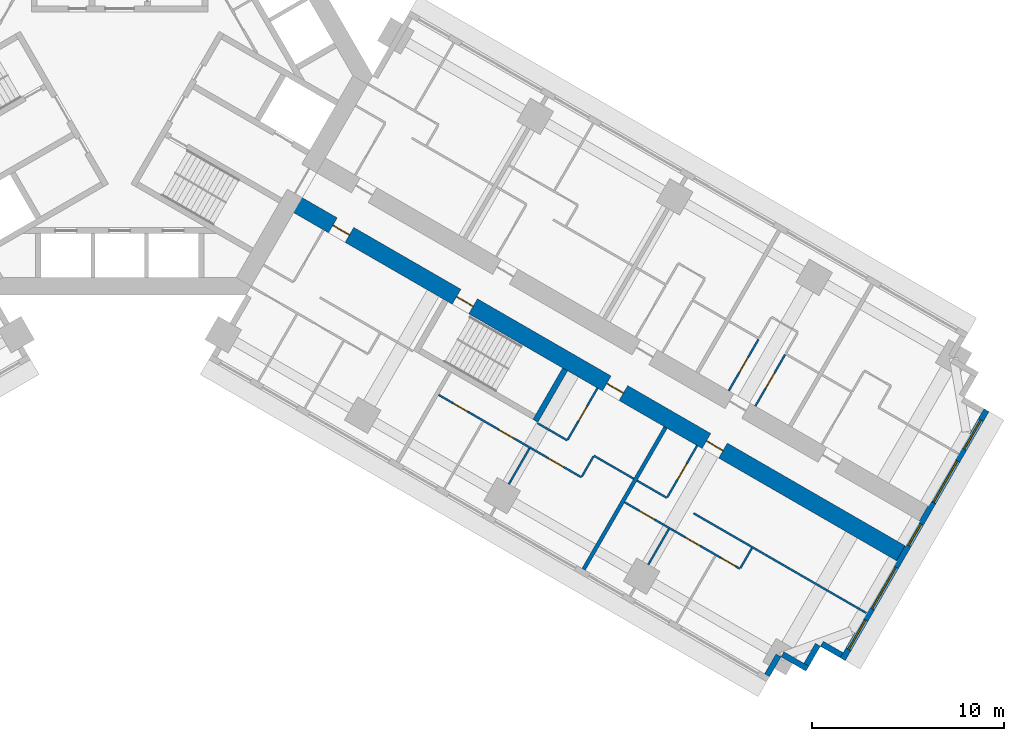
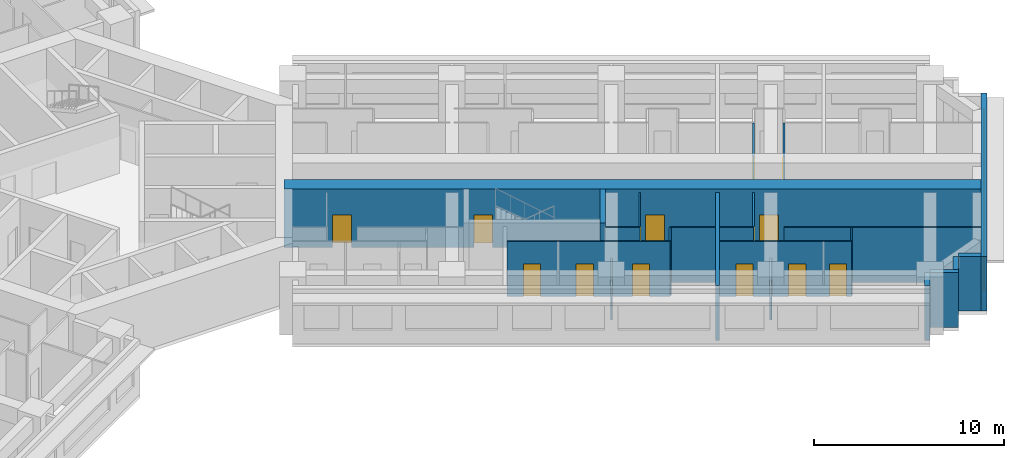
# One storey, part 11 of 16: 22 walls, 14 doors, 5 windows, 19 openings.
"""IFC4 building model written with IfcOpenShell, lengths in metres."""

import ifcopenshell
import ifcopenshell.guid

model = None  # the IFC model being written
_history = None  # IfcOwnerHistory: only IFC2X3 demands one
_inside = {}  # id of a spatial element -> (the spatial element, [elements in it])
_under = {}  # id of a project, library or spatial element -> (it, [spatial elements below it])
_declared = {}  # id of a project -> (the project, [libraries it declares])
_typed = {}  # id of a type object -> (the type object, [elements of that type])
_made_of = {}  # id of a material, layer set ... -> (it, [elements and type objects made of it])


def new_model(schema):
    """Start an empty IFC model of exactly this schema.

    Asked for "IFC4X3", IfcOpenShell would pick the latest addendum, in which some entities
    have other attributes; the version numbers below select the first issue.
    IFC2X3 requires an IfcOwnerHistory on every rooted entity: one is made here for all.
    """
    global model, _history
    if schema == "IFC4X3":
        model = ifcopenshell.file(schema_version=(4, 3, 0, 0))
    else:
        model = ifcopenshell.file(schema=schema)
    _inside.clear()
    _under.clear()
    _declared.clear()
    _typed.clear()
    _made_of.clear()
    _history = None
    if model.schema == "IFC2X3":
        org = make("IfcOrganization", Name="unknown")
        user = make(
            "IfcPersonAndOrganization",
            ThePerson=make("IfcPerson", FamilyName="unknown"),
            TheOrganization=org,
        )
        app = make(
            "IfcApplication",
            ApplicationDeveloper=org,
            Version="unknown",
            ApplicationFullName="unknown",
            ApplicationIdentifier="unknown",
        )
        _history = make(
            "IfcOwnerHistory",
            OwningUser=user,
            OwningApplication=app,
            ChangeAction="ADDED",
            CreationDate=0,
        )
    return model


def make(cls, **values):
    """One entity of the class cls with the attributes given. An attribute that is None is left unset."""
    return model.create_entity(
        cls, **{name: value for name, value in values.items() if value is not None}
    )


def rooted(cls, **values):
    """An entity with a GlobalId (a new one), such as an element, a storey or a relation."""
    return make(cls, GlobalId=ifcopenshell.guid.new(), OwnerHistory=_history, **values)


def si_unit(unit_type, name, prefix=None):
    """IfcSIUnit, for example si_unit("LENGTHUNIT", "METRE", prefix="MILLI")."""
    return make("IfcSIUnit", UnitType=unit_type, Prefix=prefix, Name=name)


def assignment(units):
    """IfcUnitAssignment: the units of a project."""
    return None if units is None else make("IfcUnitAssignment", Units=units)


def point(xyz):
    """IfcCartesianPoint."""
    return None if xyz is None else make("IfcCartesianPoint", Coordinates=xyz)


def direction(xyz):
    """IfcDirection."""
    return None if xyz is None else make("IfcDirection", DirectionRatios=xyz)


def frame(location, z_axis=None, x_axis=None):
    """IfcAxis2Placement3D, a coordinate frame: its origin and axes. An axis left out is left unset."""
    return make(
        "IfcAxis2Placement3D",
        Location=point(location),
        Axis=direction(z_axis),
        RefDirection=direction(x_axis),
    )


def frame_2d(location, x_axis=None):
    """IfcAxis2Placement2D, a coordinate frame in the plane: its origin and x axis."""
    return make(
        "IfcAxis2Placement2D", Location=point(location), RefDirection=direction(x_axis)
    )


def origin():
    """The frame at (0, 0, 0) with its axes left unset."""
    return frame((0.0, 0.0, 0.0))


def place(relative_to, where):
    """IfcLocalPlacement: puts the frame where relative to a parent placement (None: the world)."""
    return make(
        "IfcLocalPlacement", PlacementRelTo=relative_to, RelativePlacement=where
    )


def context(
    kind, dimensions, precision=None, world=None, true_north=None, identifier=None
):
    """IfcGeometricRepresentationContext, for example the 3D "Model" context."""
    return make(
        "IfcGeometricRepresentationContext",
        ContextIdentifier=identifier,
        ContextType=kind,
        CoordinateSpaceDimension=dimensions,
        Precision=precision,
        WorldCoordinateSystem=world,
        TrueNorth=true_north,
    )


def subcontext(parent, identifier, kind, view, scale=None):
    """IfcGeometricRepresentationSubContext, for example "Body" below "Model"."""
    return make(
        "IfcGeometricRepresentationSubContext",
        ContextIdentifier=identifier,
        ContextType=kind,
        ParentContext=parent,
        TargetScale=scale,
        TargetView=view,
    )


def project(units=None, contexts=None):
    """IfcProject with its units and contexts."""
    return rooted(
        "IfcProject",
        Name="project",
        RepresentationContexts=contexts,
        UnitsInContext=assignment(units),
    )


def spatial(cls, under=None, at=None, **own):
    """A site, building, storey or space (cls), placed at a placement, below another one or the project."""
    s = rooted(cls, ObjectPlacement=at, **own)
    if under is not None:
        _under.setdefault(under.id(), (under, []))[1].append(s)
    return s


def profile(cls, at=None, kind="AREA", **sizes):
    """A parametric profile (cls). Its sizes go by their IFC names, for example OverallWidth=200.0."""
    return make(cls, ProfileType=kind, Position=at, **sizes)


def rectangle(**sizes):
    """IfcRectangleProfileDef."""
    return profile("IfcRectangleProfileDef", **sizes)


def extrude(swept, where, along, depth):
    """IfcExtrudedAreaSolid: the profile swept, set in the frame where, extruded along a direction by depth."""
    return make(
        "IfcExtrudedAreaSolid",
        SweptArea=swept,
        Position=where,
        ExtrudedDirection=direction(along),
        Depth=depth,
    )


def shape(context_of_items, identifier, shape_type, items):
    """IfcShapeRepresentation: the items that make up one representation, for example the "Body"."""
    return make(
        "IfcShapeRepresentation",
        ContextOfItems=context_of_items,
        RepresentationIdentifier=identifier,
        RepresentationType=shape_type,
        Items=items,
    )


def material(Name=None, Category=None):
    """IfcMaterial."""
    return make("IfcMaterial", Name=Name, Category=Category)


def layer(
    of_material, thickness, ventilated=None, Name=None, Category=None, Priority=None
):
    """IfcMaterialLayer: one layer of a wall or slab, of a material (None: an air gap)."""
    return make(
        "IfcMaterialLayer",
        Material=of_material,
        LayerThickness=thickness,
        IsVentilated=ventilated,
        Name=Name,
        Category=Category,
        Priority=Priority,
    )


def layer_set(layers, Name=None):
    """IfcMaterialLayerSet."""
    return make("IfcMaterialLayerSet", MaterialLayers=layers, LayerSetName=Name)


def made_of(thing, what):
    """Note that an element or type object is made of a material, layer set ...; save() writes the relation."""
    if what is not None:
        _made_of.setdefault(what.id(), (what, []))[1].append(thing)
    return thing


def type_object(cls, material=None, **own):
    """A type object (cls), such as IfcWallType, which elements share."""
    return made_of(rooted(cls, **own), material)


def element(
    cls,
    number,
    at=None,
    inside=None,
    cuts=None,
    type_object=None,
    material=None,
    context=None,
    identifier="Body",
    shape_type=None,
    held_by="IfcProductDefinitionShape",
    body=None,
    shapes=None,
    **own,
):
    """One element of the class cls, such as IfcWall. Its Tag is "e" and its number.

    at: its placement. inside: the storey or other place that contains it. cuts: it is an
    opening in that element (IfcRelVoidsElement). A single representation is given by context,
    identifier, shape_type and body (its items); several are given by shapes. held_by: the class
    of the entity that holds the representations. save() writes the other relations.
    """
    e = rooted(cls, Tag="e%d" % number, ObjectPlacement=at, **own)
    if body is not None:
        shapes = [shape(context, identifier, shape_type, body)]
    if shapes is not None:
        e.Representation = make(held_by, Representations=shapes)
    if inside is not None:
        _inside.setdefault(inside.id(), (inside, []))[1].append(e)
    if cuts is not None:
        rooted(
            "IfcRelVoidsElement", RelatingBuildingElement=cuts, RelatedOpeningElement=e
        )
    if type_object is not None:
        _typed.setdefault(type_object.id(), (type_object, []))[1].append(e)
    return made_of(e, material)


def fill(opening, filler):
    """IfcRelFillsElement: the door or window that sits in an opening."""
    return rooted(
        "IfcRelFillsElement",
        RelatingOpeningElement=opening,
        RelatedBuildingElement=filler,
    )


def aggregate(whole, parts):
    """IfcRelAggregates: a whole, such as a stair, and the parts it consists of."""
    return rooted("IfcRelAggregates", RelatingObject=whole, RelatedObjects=parts)


def save(model, path):
    """Write the relations noted so far, then the file.

    IfcRelAggregates (storeys below a building ...), IfcRelContainedInSpatialStructure (elements
    in a storey), IfcRelDefinesByType, IfcRelAssociatesMaterial and IfcRelDeclares: one each for
    every whole, place, type object, material and project.
    """
    for whole, parts in _under.values():
        aggregate(whole, parts)
    for where, things in _inside.values():
        rooted(
            "IfcRelContainedInSpatialStructure",
            RelatedElements=things,
            RelatingStructure=where,
        )
    for kind, things in _typed.values():
        rooted("IfcRelDefinesByType", RelatedObjects=things, RelatingType=kind)
    for what, things in _made_of.values():
        rooted("IfcRelAssociatesMaterial", RelatedObjects=things, RelatingMaterial=what)
    for by, libraries in _declared.values():
        rooted("IfcRelDeclares", RelatingContext=by, RelatedDefinitions=libraries)
    model.write(path)


model = new_model("IFC4")

# Units and contexts
model_context = context("Model", 3, precision=1e-05, world=origin(), true_north=direction((0.0, 1.0)))
body_context = subcontext(model_context, "Body", "Model", "MODEL_VIEW")
ifc_project = project(units=[si_unit("LENGTHUNIT", "METRE"), si_unit("AREAUNIT", "SQUARE_METRE"), si_unit("VOLUMEUNIT", "CUBIC_METRE"), si_unit("PLANEANGLEUNIT", "RADIAN"), si_unit("MASSUNIT", "GRAM", prefix="KILO")], contexts=[model_context])

# Site, building, storey
site_placement = place(None, origin())
site = spatial("IfcSite", under=ifc_project, at=site_placement, CompositionType="ELEMENT")
building_placement = place(site_placement, origin())
building = spatial("IfcBuilding", under=site, at=building_placement, Name="Impinga Residences", CompositionType="ELEMENT")
storey_placement = place(building_placement, frame((0.0, 0.0, 71.0)))
storey = spatial("IfcBuildingStorey", under=building, at=storey_placement, Name="L17", CompositionType="ELEMENT", Elevation=71.0)

# Wall, openings, doors
ifc_material_1 = material(Name="Concrete C70/85", Category="concrete")
ifc_layer_1 = layer(ifc_material_1, 0.89990234375)
ifc_layer_set_1 = layer_set([ifc_layer_1], Name="Concrete C70/85")
wall_type_1 = type_object("IfcWallType", Name="BW1 corridor buttress wall, L05 to L22 900", PredefinedType="SHEAR", material=ifc_layer_set_1)
wall_1_placement = place(storey_placement, frame((8.910400390625, -6.530029296875, 0.0), z_axis=(0.0, 0.0, 1.0), x_axis=(0.866025284237, -0.500000207062, 0.0)))
wall_1 = element("IfcWall", 1, at=wall_1_placement, inside=storey, type_object=wall_type_1, Name="Corridor wall BW1 ED L17", PredefinedType="SHEAR", context=body_context, shape_type="SweptSolid", body=[
    extrude(rectangle(XDim=36.75, YDim=0.89990234375, at=frame_2d((18.375, 0.0))), origin(), (0.0, 0.0, 1.0), 3.75),
])
opening_1_placement = place(wall_1_placement, frame((10.0, 0.0, 0.0)))
opening_1 = element("IfcOpeningElement", 2, at=opening_1_placement, cuts=wall_1, Name="Opening D5", PredefinedType="OPENING", context=body_context, shape_type="SweptSolid", body=[
    extrude(rectangle(XDim=1.0, YDim=2.10009765625, at=frame_2d((0.5, 1.050048828125))), frame((0.0, 0.4599609375, 0.0), z_axis=(0.0, -1.0, 0.0), x_axis=(1.0, 0.0, 0.0)), (0.0, 0.0, 1.0), 0.919921875),
])
opening_2_placement = place(wall_1_placement, frame((2.550048828125, 0.0, 0.0)))
opening_2 = element("IfcOpeningElement", 3, at=opening_2_placement, cuts=wall_1, Name="Opening D1", PredefinedType="OPENING", context=body_context, shape_type="SweptSolid", body=[
    extrude(rectangle(XDim=1.0, YDim=2.10009765625, at=frame_2d((0.5, 1.050048828125))), frame((0.0, 0.4599609375, 0.0), z_axis=(0.0, -1.0, 0.0), x_axis=(1.0, 0.0, 0.0)), (0.0, 0.0, 1.0), 0.919921875),
])
opening_3_placement = place(wall_1_placement, frame((19.050048828125, 0.0, 0.0)))
opening_3 = element("IfcOpeningElement", 4, at=opening_3_placement, cuts=wall_1, Name="Opening D1", PredefinedType="OPENING", context=body_context, shape_type="SweptSolid", body=[
    extrude(rectangle(XDim=1.0, YDim=2.10009765625, at=frame_2d((0.5, 1.050048828125))), frame((0.0, 0.4599609375, 0.0), z_axis=(0.0, -1.0, 0.0), x_axis=(1.0, 0.0, 0.0)), (0.0, 0.0, 1.0), 0.919921875),
])
opening_4_placement = place(wall_1_placement, frame((25.050048828125, 0.0, 0.0)))
opening_4 = element("IfcOpeningElement", 5, at=opening_4_placement, cuts=wall_1, Name="Opening D1", PredefinedType="OPENING", context=body_context, shape_type="SweptSolid", body=[
    extrude(rectangle(XDim=1.0, YDim=2.10009765625, at=frame_2d((0.5, 1.050048828125))), frame((0.0, 0.4599609375, 0.0), z_axis=(0.0, -1.0, 0.0), x_axis=(1.0, 0.0, 0.0)), (0.0, 0.0, 1.0), 0.919921875),
])
ifc_material_2 = material(Name="Timber door set", Category="wood")
door_type_1 = type_object("IfcDoorType", Name="D1 apartment entrance door 1000x2100", OperationType="SINGLE_SWING_LEFT", PredefinedType="DOOR", material=ifc_material_2)
door_1_placement = place(opening_2_placement, origin())
door_1 = element("IfcDoor", 6, at=door_1_placement, inside=storey, type_object=door_type_1, Name="Apartment L17-EF1 entrance", OperationType="SINGLE_SWING_LEFT", OverallHeight=2.10009765625, OverallWidth=1.0, PredefinedType="DOOR", context=body_context, shape_type="SweptSolid", body=[
    extrude(rectangle(XDim=1.0, YDim=2.10009765625, at=frame_2d((0.5, 1.050048828125))), frame((0.0, 0.02490234375, 0.0), z_axis=(0.0, -1.0, 0.0), x_axis=(1.0, 0.0, 0.0)), (0.0, 0.0, 1.0), 0.050048828125),
])
fill(opening_2, door_1)
door_2_placement = place(opening_3_placement, origin())
door_2 = element("IfcDoor", 7, at=door_2_placement, inside=storey, type_object=door_type_1, Name="Apartment L17-EF2 entrance", OperationType="SINGLE_SWING_RIGHT", OverallHeight=2.10009765625, OverallWidth=1.0, PredefinedType="DOOR", context=body_context, shape_type="SweptSolid", body=[
    extrude(rectangle(XDim=1.0, YDim=2.10009765625, at=frame_2d((0.5, 1.050048828125))), frame((0.0, 0.02490234375, 0.0), z_axis=(0.0, -1.0, 0.0), x_axis=(1.0, 0.0, 0.0)), (0.0, 0.0, 1.0), 0.050048828125),
])
fill(opening_3, door_2)
door_3_placement = place(opening_4_placement, origin())
door_3 = element("IfcDoor", 8, at=door_3_placement, inside=storey, type_object=door_type_1, Name="Apartment L17-EF3 entrance", OperationType="SINGLE_SWING_RIGHT", OverallHeight=2.10009765625, OverallWidth=1.0, PredefinedType="DOOR", context=body_context, shape_type="SweptSolid", body=[
    extrude(rectangle(XDim=1.0, YDim=2.10009765625, at=frame_2d((0.5, 1.050048828125))), frame((0.0, 0.02490234375, 0.0), z_axis=(0.0, -1.0, 0.0), x_axis=(1.0, 0.0, 0.0)), (0.0, 0.0, 1.0), 0.050048828125),
])
fill(opening_4, door_3)
door_type_2 = type_object("IfcDoorType", Name="D5 stair door 1000x2100", OperationType="SINGLE_SWING_LEFT", PredefinedType="DOOR", material=ifc_material_2)
door_4_placement = place(opening_1_placement, origin())
door_4 = element("IfcDoor", 9, at=door_4_placement, inside=storey, type_object=door_type_2, Name="Wing stair door E", OperationType="SINGLE_SWING_LEFT", OverallHeight=2.10009765625, OverallWidth=1.0, PredefinedType="DOOR", context=body_context, shape_type="SweptSolid", body=[
    extrude(rectangle(XDim=1.0, YDim=2.10009765625, at=frame_2d((0.5, 1.050048828125))), frame((0.0, 0.02490234375, 0.0), z_axis=(0.0, -1.0, 0.0), x_axis=(1.0, 0.0, 0.0)), (0.0, 0.0, 1.0), 0.050048828125),
])
fill(opening_1, door_4)

# Wall, openings, windows
ifc_material_3 = material(Name="Terracotta rainscreen on blockwork", Category="masonry")
ifc_layer_2 = layer(ifc_material_3, 0.300048828125)
ifc_layer_set_2 = layer_set([ifc_layer_2], Name="EW1 external wall, terracotta rainscreen on blockwork 300")
wall_type_2 = type_object("IfcWallType", Name="EW1 external wall, terracotta rainscreen on blockwork 300", PredefinedType="SOLIDWALL", material=ifc_layer_set_2)
wall_2_placement = place(storey_placement, frame((45.216552734375, -17.445556640625, 0.0), z_axis=(0.0, 0.0, 1.0), x_axis=(-0.499997186618, -0.866027028085, 0.0)))
wall_2 = element("IfcWall", 10, at=wall_2_placement, inside=storey, type_object=wall_type_2, Name="External wall EW1 L17", PredefinedType="SOLIDWALL", context=body_context, shape_type="SweptSolid", body=[
    extrude(rectangle(XDim=15.0, YDim=0.300048828125, at=frame_2d((7.5, 0.0))), origin(), (0.0, 0.0, 1.0), 3.530029296875),
])
opening_5_placement = place(wall_2_placement, frame((0.60009765625, 0.0, 0.89990234375)))
opening_5 = element("IfcOpeningElement", 11, at=opening_5_placement, cuts=wall_2, Name="Opening W1", PredefinedType="OPENING", context=body_context, shape_type="SweptSolid", body=[
    extrude(rectangle(XDim=1.75, YDim=2.050048828125, at=frame_2d((0.875, 1.02490234375))), frame((0.0, 0.159912109375, 0.0), z_axis=(0.0, -1.0, 0.0), x_axis=(1.0, 0.0, 0.0)), (0.0, 0.0, 1.0), 0.320068359375),
])
opening_6_placement = place(wall_2_placement, frame((3.050048828125, 0.0, 0.89990234375)))
opening_6 = element("IfcOpeningElement", 12, at=opening_6_placement, cuts=wall_2, Name="Opening W2", PredefinedType="OPENING", context=body_context, shape_type="SweptSolid", body=[
    extrude(rectangle(XDim=2.5, YDim=2.050048828125, at=frame_2d((1.25, 1.02490234375))), frame((0.0, 0.159912109375, 0.0), z_axis=(0.0, -1.0, 0.0), x_axis=(1.0, 0.0, 0.0)), (0.0, 0.0, 1.0), 0.320068359375),
])
opening_7_placement = place(wall_2_placement, frame((6.85009765625, 0.0, 0.89990234375)))
opening_7 = element("IfcOpeningElement", 13, at=opening_7_placement, cuts=wall_2, Name="Opening WE1", PredefinedType="OPENING", context=body_context, shape_type="SweptSolid", body=[
    extrude(rectangle(XDim=1.300048828125, YDim=2.050048828125, at=frame_2d((0.64990234375, 1.02490234375))), frame((0.0, 0.159912109375, 0.0), z_axis=(0.0, -1.0, 0.0), x_axis=(1.0, 0.0, 0.0)), (0.0, 0.0, 1.0), 0.320068359375),
])
opening_8_placement = place(wall_2_placement, frame((9.449951171875, 0.0, 0.89990234375)))
opening_8 = element("IfcOpeningElement", 14, at=opening_8_placement, cuts=wall_2, Name="Opening W2", PredefinedType="OPENING", context=body_context, shape_type="SweptSolid", body=[
    extrude(rectangle(XDim=2.5, YDim=2.050048828125, at=frame_2d((1.25, 1.02490234375))), frame((0.0, 0.159912109375, 0.0), z_axis=(0.0, -1.0, 0.0), x_axis=(1.0, 0.0, 0.0)), (0.0, 0.0, 1.0), 0.320068359375),
])
opening_9_placement = place(wall_2_placement, frame((12.64990234375, 0.0, 0.89990234375)))
opening_9 = element("IfcOpeningElement", 15, at=opening_9_placement, cuts=wall_2, Name="Opening W1", PredefinedType="OPENING", context=body_context, shape_type="SweptSolid", body=[
    extrude(rectangle(XDim=1.75, YDim=2.050048828125, at=frame_2d((0.875, 1.02490234375))), frame((0.0, 0.159912109375, 0.0), z_axis=(0.0, -1.0, 0.0), x_axis=(1.0, 0.0, 0.0)), (0.0, 0.0, 1.0), 0.320068359375),
])
ifc_material_4 = material(Name="Aluminium window, clear double glazing", Category="aluminium")
window_type_1 = type_object("IfcWindowType", Name="W1 ribbon window 1750x2050", PartitioningType="SINGLE_PANEL", PredefinedType="WINDOW", material=ifc_material_4)
window_1_placement = place(opening_5_placement, origin())
window_1 = element("IfcWindow", 16, at=window_1_placement, inside=storey, type_object=window_type_1, Name="Window L17", OverallHeight=2.050048828125, OverallWidth=1.75, PartitioningType="SINGLE_PANEL", PredefinedType="WINDOW", context=body_context, shape_type="SweptSolid", body=[
    extrude(rectangle(XDim=1.75, YDim=2.050048828125, at=frame_2d((0.875, 1.02490234375))), frame((0.0, 0.030029296875, 0.0), z_axis=(0.0, -1.0, 0.0), x_axis=(1.0, 0.0, 0.0)), (0.0, 0.0, 1.0), 0.06005859375),
])
fill(opening_5, window_1)
window_2_placement = place(opening_9_placement, origin())
window_2 = element("IfcWindow", 17, at=window_2_placement, inside=storey, type_object=window_type_1, Name="Window L17", OverallHeight=2.050048828125, OverallWidth=1.75, PartitioningType="SINGLE_PANEL", PredefinedType="WINDOW", context=body_context, shape_type="SweptSolid", body=[
    extrude(rectangle(XDim=1.75, YDim=2.050048828125, at=frame_2d((0.875, 1.02490234375))), frame((0.0, 0.030029296875, 0.0), z_axis=(0.0, -1.0, 0.0), x_axis=(1.0, 0.0, 0.0)), (0.0, 0.0, 1.0), 0.06005859375),
])
fill(opening_9, window_2)
window_type_2 = type_object("IfcWindowType", Name="W2 ribbon window 2500x2050", PartitioningType="SINGLE_PANEL", PredefinedType="WINDOW", material=ifc_material_4)
window_3_placement = place(opening_6_placement, origin())
window_3 = element("IfcWindow", 18, at=window_3_placement, inside=storey, type_object=window_type_2, Name="Window L17", OverallHeight=2.050048828125, OverallWidth=2.5, PartitioningType="SINGLE_PANEL", PredefinedType="WINDOW", context=body_context, shape_type="SweptSolid", body=[
    extrude(rectangle(XDim=2.5, YDim=2.050048828125, at=frame_2d((1.25, 1.02490234375))), frame((0.0, 0.030029296875, 0.0), z_axis=(0.0, -1.0, 0.0), x_axis=(1.0, 0.0, 0.0)), (0.0, 0.0, 1.0), 0.06005859375),
])
fill(opening_6, window_3)
window_4_placement = place(opening_8_placement, origin())
window_4 = element("IfcWindow", 19, at=window_4_placement, inside=storey, type_object=window_type_2, Name="Window L17", OverallHeight=2.050048828125, OverallWidth=2.5, PartitioningType="SINGLE_PANEL", PredefinedType="WINDOW", context=body_context, shape_type="SweptSolid", body=[
    extrude(rectangle(XDim=2.5, YDim=2.050048828125, at=frame_2d((1.25, 1.02490234375))), frame((0.0, 0.030029296875, 0.0), z_axis=(0.0, -1.0, 0.0), x_axis=(1.0, 0.0, 0.0)), (0.0, 0.0, 1.0), 0.06005859375),
])
fill(opening_8, window_4)
window_type_3 = type_object("IfcWindowType", Name="WE1 corridor window 1300x2050", PartitioningType="SINGLE_PANEL", PredefinedType="WINDOW", material=ifc_material_4)
window_5_placement = place(opening_7_placement, origin())
window_5 = element("IfcWindow", 20, at=window_5_placement, inside=storey, type_object=window_type_3, Name="Window L17", OverallHeight=2.050048828125, OverallWidth=1.300048828125, PartitioningType="SINGLE_PANEL", PredefinedType="WINDOW", context=body_context, shape_type="SweptSolid", body=[
    extrude(rectangle(XDim=1.300048828125, YDim=2.050048828125, at=frame_2d((0.64990234375, 1.02490234375))), frame((0.0, 0.030029296875, 0.0), z_axis=(0.0, -1.0, 0.0), x_axis=(1.0, 0.0, 0.0)), (0.0, 0.0, 1.0), 0.06005859375),
])
fill(opening_7, window_5)

# Walls
wall_3_placement = place(storey_placement, frame((37.66162109375, -30.23095703125, 0.0), z_axis=(0.0, 0.0, 1.0), x_axis=(-0.866059708757, 0.499940577336, 0.0)))
element("IfcWall", 21, at=wall_3_placement, inside=storey, type_object=wall_type_2, Name="External wall EW1 L17", PredefinedType="SOLIDWALL", context=body_context, shape_type="SweptSolid", body=[
    extrude(rectangle(XDim=1.195068359375, YDim=0.300048828125, at=frame_2d((0.59765625, 0.0))), origin(), (0.0, 0.0, 1.0), 3.530029296875),
])
wall_4_placement = place(storey_placement, frame((36.41748046875, -29.68603515625, 0.0), z_axis=(0.0, 0.0, 1.0), x_axis=(-0.499969057507, -0.866043267704, 0.0)))
element("IfcWall", 22, at=wall_4_placement, inside=storey, type_object=wall_type_2, Name="External wall EW1 L17", PredefinedType="SOLIDWALL", context=body_context, shape_type="SweptSolid", body=[
    extrude(rectangle(XDim=1.19970703125, YDim=0.300048828125, at=frame_2d((0.599853515625, 0.0))), origin(), (0.0, 0.0, 1.0), 3.530029296875),
])
wall_5_placement = place(storey_placement, frame((35.87255859375, -30.93017578125, 0.0), z_axis=(0.0, 0.0, 1.0), x_axis=(-0.866031096941, 0.499990139034, 0.0)))
element("IfcWall", 23, at=wall_5_placement, inside=storey, type_object=wall_type_2, Name="External wall EW1 L17", PredefinedType="SOLIDWALL", context=body_context, shape_type="SweptSolid", body=[
    extrude(rectangle(XDim=1.5, YDim=0.300048828125, at=frame_2d((0.75, 0.0))), origin(), (0.0, 0.0, 1.0), 3.530029296875),
])
wall_6_placement = place(storey_placement, frame((34.365966796875, -30.2392578125, 0.0), z_axis=(0.0, 0.0, 1.0), x_axis=(-0.499940577336, -0.866059708757, 0.0)))
element("IfcWall", 24, at=wall_6_placement, inside=storey, type_object=wall_type_2, Name="External wall EW1 L17", PredefinedType="SOLIDWALL", context=body_context, shape_type="SweptSolid", body=[
    extrude(rectangle(XDim=1.195068359375, YDim=0.300048828125, at=frame_2d((0.59765625, 0.0))), origin(), (0.0, 0.0, 1.0), 3.530029296875),
])

# Wall, opening, door
ifc_material_5 = material(Name="Gypsum board on steel studs", Category="steel")
ifc_layer_3 = layer(ifc_material_5, 0.10009765625)
ifc_layer_set_3 = layer_set([ifc_layer_3], Name="Gypsum board on steel studs")
wall_type_3 = type_object("IfcWallType", Name="IP1 partition 100", PredefinedType="PARTITIONING", material=ifc_layer_set_3)
wall_7_placement = place(storey_placement, frame((31.76953125, -16.436767578125, 0.0), z_axis=(0.0, 0.0, 1.0), x_axis=(0.499967891604, 0.866043940782, 0.0)))
wall_7 = element("IfcWall", 25, at=wall_7_placement, inside=storey, type_object=wall_type_3, Name="Partition L17-EA4:IB1", PredefinedType="PARTITIONING", context=body_context, shape_type="SweptSolid", body=[
    extrude(rectangle(XDim=3.099853515625, YDim=0.10009765625, at=frame_2d((1.5498046875, 0.0))), origin(), (0.0, 0.0, 1.0), 3.530029296875),
])
opening_10_placement = place(wall_7_placement, frame((1.10009765625, 0.0, 0.0)))
opening_10 = element("IfcOpeningElement", 26, at=opening_10_placement, cuts=wall_7, Name="Opening D2", PredefinedType="OPENING", context=body_context, shape_type="SweptSolid", body=[
    extrude(rectangle(XDim=0.89990234375, YDim=2.10009765625, at=frame_2d((0.449951171875, 1.050048828125))), frame((0.0, 0.06005859375, 0.0), z_axis=(0.0, -1.0, 0.0), x_axis=(1.0, 0.0, 0.0)), (0.0, 0.0, 1.0), 0.1201171875),
])
door_type_3 = type_object("IfcDoorType", Name="D2 internal door 900x2100", OperationType="SINGLE_SWING_LEFT", PredefinedType="DOOR", material=ifc_material_2)
door_5_placement = place(opening_10_placement, origin())
door_5 = element("IfcDoor", 27, at=door_5_placement, inside=storey, type_object=door_type_3, Name="Apartment L17-EA4 bathroom door", OperationType="SINGLE_SWING_LEFT", OverallHeight=2.10009765625, OverallWidth=0.89990234375, PredefinedType="DOOR", context=body_context, shape_type="SweptSolid", body=[
    extrude(rectangle(XDim=0.89990234375, YDim=2.10009765625, at=frame_2d((0.449951171875, 1.050048828125))), frame((0.0, 0.02490234375, 0.0), z_axis=(0.0, -1.0, 0.0), x_axis=(1.0, 0.0, 0.0)), (0.0, 0.0, 1.0), 0.050048828125),
])
fill(opening_10, door_5)

wall_8_placement = place(storey_placement, frame((33.155029296875, -17.23681640625, 0.0), z_axis=(0.0, 0.0, 1.0), x_axis=(0.500026960575, 0.86600983753, 0.0)))
wall_8 = element("IfcWall", 28, at=wall_8_placement, inside=storey, type_object=wall_type_3, Name="Partition L17-EA4:IB2", PredefinedType="PARTITIONING", context=body_context, shape_type="SweptSolid", body=[
    extrude(rectangle(XDim=3.099853515625, YDim=0.10009765625, at=frame_2d((1.5498046875, 0.0))), origin(), (0.0, 0.0, 1.0), 3.530029296875),
])
opening_11_placement = place(wall_8_placement, frame((1.10009765625, 0.0, 0.0)))
opening_11 = element("IfcOpeningElement", 29, at=opening_11_placement, cuts=wall_8, Name="Opening D2", PredefinedType="OPENING", context=body_context, shape_type="SweptSolid", body=[
    extrude(rectangle(XDim=0.89990234375, YDim=2.10009765625, at=frame_2d((0.449951171875, 1.050048828125))), frame((0.0, 0.06005859375, 0.0), z_axis=(0.0, -1.0, 0.0), x_axis=(1.0, 0.0, 0.0)), (0.0, 0.0, 1.0), 0.1201171875),
])
door_6_placement = place(opening_11_placement, origin())
door_6 = element("IfcDoor", 30, at=door_6_placement, inside=storey, type_object=door_type_3, Name="Apartment L17-EA4 WC door", OperationType="SINGLE_SWING_LEFT", OverallHeight=2.10009765625, OverallWidth=0.89990234375, PredefinedType="DOOR", context=body_context, shape_type="SweptSolid", body=[
    extrude(rectangle(XDim=0.89990234375, YDim=2.10009765625, at=frame_2d((0.449951171875, 1.050048828125))), frame((0.0, 0.02490234375, 0.0), z_axis=(0.0, -1.0, 0.0), x_axis=(1.0, 0.0, 0.0)), (0.0, 0.0, 1.0), 0.050048828125),
])
fill(opening_11, door_6)

# Walls
wall_9_placement = place(storey_placement, frame((21.789306640625, -18.122802734375, 0.0), z_axis=(0.0, 0.0, 1.0), x_axis=(0.866047807691, -0.499961193289, 0.0)))
element("IfcWall", 31, at=wall_9_placement, inside=storey, type_object=wall_type_3, Name="Partition L17-EF2:DIV0", PredefinedType="PARTITIONING", context=body_context, shape_type="SweptSolid", body=[
    extrude(rectangle(XDim=1.800048828125, YDim=0.10009765625, at=frame_2d((0.89990234375, 0.0))), origin(), (0.0, 0.0, 1.0), 3.530029296875),
])
wall_10_placement = place(storey_placement, frame((24.73388671875, -19.82275390625, 0.0), z_axis=(0.0, 0.0, 1.0), x_axis=(0.866024647952, -0.500001309137, 0.0)))
element("IfcWall", 32, at=wall_10_placement, inside=storey, type_object=wall_type_3, Name="Partition L17-EF2:DIV1", PredefinedType="PARTITIONING", context=body_context, shape_type="SweptSolid", body=[
    extrude(rectangle(XDim=2.39990234375, YDim=0.10009765625, at=frame_2d((1.199951171875, 0.0))), origin(), (0.0, 0.0, 1.0), 3.530029296875),
])

# Wall, openings, doors
wall_11_placement = place(storey_placement, frame((16.635986328125, -16.6484375, 0.0), z_axis=(0.0, 0.0, 1.0), x_axis=(0.866028165386, -0.499995216735, 0.0)))
wall_11 = element("IfcWall", 33, at=wall_11_placement, inside=storey, type_object=wall_type_3, Name="Partition L17-EF2:STRIP", PredefinedType="PARTITIONING", context=body_context, shape_type="SweptSolid", body=[
    extrude(rectangle(XDim=8.60009765625, YDim=0.10009765625, at=frame_2d((4.300048828125, 0.0))), origin(), (0.0, 0.0, 1.0), 3.530029296875),
])
opening_12_placement = place(wall_11_placement, frame((0.875, 0.0, 0.0)))
opening_12 = element("IfcOpeningElement", 34, at=opening_12_placement, cuts=wall_11, Name="Opening D2", PredefinedType="OPENING", context=body_context, shape_type="SweptSolid", body=[
    extrude(rectangle(XDim=0.89990234375, YDim=2.10009765625, at=frame_2d((0.449951171875, 1.050048828125))), frame((0.0, 0.06005859375, 0.0), z_axis=(0.0, -1.0, 0.0), x_axis=(1.0, 0.0, 0.0)), (0.0, 0.0, 1.0), 0.1201171875),
])
opening_13_placement = place(wall_11_placement, frame((3.64990234375, 0.0, 0.0)))
opening_13 = element("IfcOpeningElement", 35, at=opening_13_placement, cuts=wall_11, Name="Opening D2", PredefinedType="OPENING", context=body_context, shape_type="SweptSolid", body=[
    extrude(rectangle(XDim=0.89990234375, YDim=2.10009765625, at=frame_2d((0.449951171875, 1.050048828125))), frame((0.0, 0.06005859375, 0.0), z_axis=(0.0, -1.0, 0.0), x_axis=(1.0, 0.0, 0.0)), (0.0, 0.0, 1.0), 0.1201171875),
])
opening_14_placement = place(wall_11_placement, frame((6.625, 0.0, 0.0)))
opening_14 = element("IfcOpeningElement", 36, at=opening_14_placement, cuts=wall_11, Name="Opening D2", PredefinedType="OPENING", context=body_context, shape_type="SweptSolid", body=[
    extrude(rectangle(XDim=0.89990234375, YDim=2.10009765625, at=frame_2d((0.449951171875, 1.050048828125))), frame((0.0, 0.06005859375, 0.0), z_axis=(0.0, -1.0, 0.0), x_axis=(1.0, 0.0, 0.0)), (0.0, 0.0, 1.0), 0.1201171875),
])
door_7_placement = place(opening_12_placement, origin())
door_7 = element("IfcDoor", 37, at=door_7_placement, inside=storey, type_object=door_type_3, Name="Apartment L17-EF2 room door", OperationType="SINGLE_SWING_LEFT", OverallHeight=2.10009765625, OverallWidth=0.89990234375, PredefinedType="DOOR", context=body_context, shape_type="SweptSolid", body=[
    extrude(rectangle(XDim=0.89990234375, YDim=2.10009765625, at=frame_2d((0.449951171875, 1.050048828125))), frame((0.0, 0.02490234375, 0.0), z_axis=(0.0, -1.0, 0.0), x_axis=(1.0, 0.0, 0.0)), (0.0, 0.0, 1.0), 0.050048828125),
])
fill(opening_12, door_7)
door_8_placement = place(opening_13_placement, origin())
door_8 = element("IfcDoor", 38, at=door_8_placement, inside=storey, type_object=door_type_3, Name="Apartment L17-EF2 room door", OperationType="SINGLE_SWING_LEFT", OverallHeight=2.10009765625, OverallWidth=0.89990234375, PredefinedType="DOOR", context=body_context, shape_type="SweptSolid", body=[
    extrude(rectangle(XDim=0.89990234375, YDim=2.10009765625, at=frame_2d((0.449951171875, 1.050048828125))), frame((0.0, 0.02490234375, 0.0), z_axis=(0.0, -1.0, 0.0), x_axis=(1.0, 0.0, 0.0)), (0.0, 0.0, 1.0), 0.050048828125),
])
fill(opening_13, door_8)
door_9_placement = place(opening_14_placement, origin())
door_9 = element("IfcDoor", 39, at=door_9_placement, inside=storey, type_object=door_type_3, Name="Apartment L17-EF2 room door", OperationType="SINGLE_SWING_RIGHT", OverallHeight=2.10009765625, OverallWidth=0.89990234375, PredefinedType="DOOR", context=body_context, shape_type="SweptSolid", body=[
    extrude(rectangle(XDim=0.89990234375, YDim=2.10009765625, at=frame_2d((0.449951171875, 1.050048828125))), frame((0.0, 0.02490234375, 0.0), z_axis=(0.0, -1.0, 0.0), x_axis=(1.0, 0.0, 0.0)), (0.0, 0.0, 1.0), 0.050048828125),
])
fill(opening_14, door_9)

# Wall
wall_12_placement = place(storey_placement, frame((24.708984375, -19.865966796875, 0.0), z_axis=(0.0, 0.0, 1.0), x_axis=(-0.500033551112, -0.866006032174, 0.0)))
element("IfcWall", 40, at=wall_12_placement, inside=storey, type_object=wall_type_3, Name="Partition L17-EF2:SE1", PredefinedType="PARTITIONING", context=body_context, shape_type="SweptSolid", body=[
    extrude(rectangle(XDim=1.2001953125, YDim=0.10009765625, at=frame_2d((0.60009765625, 0.0))), origin(), (0.0, 0.0, 1.0), 3.530029296875),
])

# Wall, opening, door
wall_13_placement = place(storey_placement, frame((24.92333984375, -16.294677734375, 0.0), z_axis=(0.0, 0.0, 1.0), x_axis=(-0.49999285859, -0.86602952684, 0.0)))
wall_13 = element("IfcWall", 41, at=wall_13_placement, inside=storey, type_object=wall_type_3, Name="Partition L17-EF2:IB1", PredefinedType="PARTITIONING", context=body_context, shape_type="SweptSolid", body=[
    extrude(rectangle(XDim=3.10009765625, YDim=0.10009765625, at=frame_2d((1.550048828125, 0.0))), origin(), (0.0, 0.0, 1.0), 3.530029296875),
])
opening_15_placement = place(wall_13_placement, frame((1.10009765625, 0.0, 0.0)))
opening_15 = element("IfcOpeningElement", 42, at=opening_15_placement, cuts=wall_13, Name="Opening D2", PredefinedType="OPENING", context=body_context, shape_type="SweptSolid", body=[
    extrude(rectangle(XDim=0.89990234375, YDim=2.10009765625, at=frame_2d((0.449951171875, 1.050048828125))), frame((0.0, 0.06005859375, 0.0), z_axis=(0.0, -1.0, 0.0), x_axis=(1.0, 0.0, 0.0)), (0.0, 0.0, 1.0), 0.1201171875),
])
door_10_placement = place(opening_15_placement, origin())
door_10 = element("IfcDoor", 43, at=door_10_placement, inside=storey, type_object=door_type_3, Name="Apartment L17-EF2 bathroom door", OperationType="SINGLE_SWING_LEFT", OverallHeight=2.10009765625, OverallWidth=0.89990234375, PredefinedType="DOOR", context=body_context, shape_type="SweptSolid", body=[
    extrude(rectangle(XDim=0.89990234375, YDim=2.10009765625, at=frame_2d((0.449951171875, 1.050048828125))), frame((0.0, 0.02490234375, 0.0), z_axis=(0.0, -1.0, 0.0), x_axis=(1.0, 0.0, 0.0)), (0.0, 0.0, 1.0), 0.050048828125),
])
fill(opening_15, door_10)

# Walls
wall_14_placement = place(storey_placement, frame((21.374267578125, -19.44189453125, 0.0), z_axis=(0.0, 0.0, 1.0), x_axis=(-0.500010803666, -0.866019166195, 0.0)))
element("IfcWall", 44, at=wall_14_placement, inside=storey, type_object=wall_type_3, Name="Partition L17-EF2:OB2", PredefinedType="PARTITIONING", context=body_context, shape_type="SweptSolid", body=[
    extrude(rectangle(XDim=2.14990234375, YDim=0.10009765625, at=frame_2d((1.074951171875, 0.0))), origin(), (0.0, 0.0, 1.0), 2.47998046875),
])
wall_15_placement = place(storey_placement, frame((26.985595703125, -21.122802734375, 0.0), z_axis=(0.0, 0.0, 1.0), x_axis=(0.866047807691, -0.499961193289, 0.0)))
element("IfcWall", 45, at=wall_15_placement, inside=storey, type_object=wall_type_3, Name="Partition L17-EF3:DIV0", PredefinedType="PARTITIONING", context=body_context, shape_type="SweptSolid", body=[
    extrude(rectangle(XDim=1.800048828125, YDim=0.10009765625, at=frame_2d((0.89990234375, 0.0))), origin(), (0.0, 0.0, 1.0), 3.530029296875),
])
wall_16_placement = place(storey_placement, frame((29.93017578125, -22.82275390625, 0.0), z_axis=(0.0, 0.0, 1.0), x_axis=(0.866025696342, -0.499999493275, 0.0)))
element("IfcWall", 46, at=wall_16_placement, inside=storey, type_object=wall_type_3, Name="Partition L17-EF3:DIV1", PredefinedType="PARTITIONING", context=body_context, shape_type="SweptSolid", body=[
    extrude(rectangle(XDim=10.39990234375, YDim=0.10009765625, at=frame_2d((5.199951171875, 0.0))), origin(), (0.0, 0.0, 1.0), 3.530029296875),
])

# Wall, openings, doors
wall_17_placement = place(storey_placement, frame((26.335693359375, -22.24853515625, 0.0), z_axis=(0.0, 0.0, 1.0), x_axis=(0.866016523273, -0.500015381182, 0.0)))
wall_17 = element("IfcWall", 47, at=wall_17_placement, inside=storey, type_object=wall_type_3, Name="Partition L17-EF3:STRIP", PredefinedType="PARTITIONING", context=body_context, shape_type="SweptSolid", body=[
    extrude(rectangle(XDim=6.949951171875, YDim=0.10009765625, at=frame_2d((3.47509765625, 0.0))), origin(), (0.0, 0.0, 1.0), 3.530029296875),
])
opening_16_placement = place(wall_17_placement, frame((0.875, 0.0, 0.0)))
opening_16 = element("IfcOpeningElement", 48, at=opening_16_placement, cuts=wall_17, Name="Opening D2", PredefinedType="OPENING", context=body_context, shape_type="SweptSolid", body=[
    extrude(rectangle(XDim=0.89990234375, YDim=2.10009765625, at=frame_2d((0.449951171875, 1.050048828125))), frame((0.0, 0.06005859375, 0.0), z_axis=(0.0, -1.0, 0.0), x_axis=(1.0, 0.0, 0.0)), (0.0, 0.0, 1.0), 0.1201171875),
])
opening_17_placement = place(wall_17_placement, frame((3.64990234375, 0.0, 0.0)))
opening_17 = element("IfcOpeningElement", 49, at=opening_17_placement, cuts=wall_17, Name="Opening D2", PredefinedType="OPENING", context=body_context, shape_type="SweptSolid", body=[
    extrude(rectangle(XDim=0.89990234375, YDim=2.10009765625, at=frame_2d((0.449951171875, 1.050048828125))), frame((0.0, 0.06005859375, 0.0), z_axis=(0.0, -1.0, 0.0), x_axis=(1.0, 0.0, 0.0)), (0.0, 0.0, 1.0), 0.1201171875),
])
opening_18_placement = place(wall_17_placement, frame((5.800048828125, 0.0, 0.0)))
opening_18 = element("IfcOpeningElement", 50, at=opening_18_placement, cuts=wall_17, Name="Opening D2", PredefinedType="OPENING", context=body_context, shape_type="SweptSolid", body=[
    extrude(rectangle(XDim=0.89990234375, YDim=2.10009765625, at=frame_2d((0.449951171875, 1.050048828125))), frame((0.0, 0.06005859375, 0.0), z_axis=(0.0, -1.0, 0.0), x_axis=(1.0, 0.0, 0.0)), (0.0, 0.0, 1.0), 0.1201171875),
])
door_11_placement = place(opening_16_placement, origin())
door_11 = element("IfcDoor", 51, at=door_11_placement, inside=storey, type_object=door_type_3, Name="Apartment L17-EF3 room door", OperationType="SINGLE_SWING_LEFT", OverallHeight=2.10009765625, OverallWidth=0.89990234375, PredefinedType="DOOR", context=body_context, shape_type="SweptSolid", body=[
    extrude(rectangle(XDim=0.89990234375, YDim=2.10009765625, at=frame_2d((0.449951171875, 1.050048828125))), frame((0.0, 0.02490234375, 0.0), z_axis=(0.0, -1.0, 0.0), x_axis=(1.0, 0.0, 0.0)), (0.0, 0.0, 1.0), 0.050048828125),
])
fill(opening_16, door_11)
door_12_placement = place(opening_17_placement, origin())
door_12 = element("IfcDoor", 52, at=door_12_placement, inside=storey, type_object=door_type_3, Name="Apartment L17-EF3 room door", OperationType="SINGLE_SWING_RIGHT", OverallHeight=2.10009765625, OverallWidth=0.89990234375, PredefinedType="DOOR", context=body_context, shape_type="SweptSolid", body=[
    extrude(rectangle(XDim=0.89990234375, YDim=2.10009765625, at=frame_2d((0.449951171875, 1.050048828125))), frame((0.0, 0.02490234375, 0.0), z_axis=(0.0, -1.0, 0.0), x_axis=(1.0, 0.0, 0.0)), (0.0, 0.0, 1.0), 0.050048828125),
])
fill(opening_17, door_12)
door_13_placement = place(opening_18_placement, origin())
door_13 = element("IfcDoor", 53, at=door_13_placement, inside=storey, type_object=door_type_3, Name="Apartment L17-EF3 room door", OperationType="SINGLE_SWING_RIGHT", OverallHeight=2.10009765625, OverallWidth=0.89990234375, PredefinedType="DOOR", context=body_context, shape_type="SweptSolid", body=[
    extrude(rectangle(XDim=0.89990234375, YDim=2.10009765625, at=frame_2d((0.449951171875, 1.050048828125))), frame((0.0, 0.02490234375, 0.0), z_axis=(0.0, -1.0, 0.0), x_axis=(1.0, 0.0, 0.0)), (0.0, 0.0, 1.0), 0.050048828125),
])
fill(opening_18, door_13)

# Wall
wall_18_placement = place(storey_placement, frame((32.9794921875, -24.640869140625, 0.0), z_axis=(0.0, 0.0, 1.0), x_axis=(-0.500033551112, -0.866006032174, 0.0)))
element("IfcWall", 54, at=wall_18_placement, inside=storey, type_object=wall_type_3, Name="Partition L17-EF3:SE1", PredefinedType="PARTITIONING", context=body_context, shape_type="SweptSolid", body=[
    extrude(rectangle(XDim=1.2001953125, YDim=0.10009765625, at=frame_2d((0.60009765625, 0.0))), origin(), (0.0, 0.0, 1.0), 3.530029296875),
])

# Wall, opening, door
wall_19_placement = place(storey_placement, frame((30.119384765625, -19.294677734375, 0.0), z_axis=(0.0, 0.0, 1.0), x_axis=(-0.49999285859, -0.86602952684, 0.0)))
wall_19 = element("IfcWall", 55, at=wall_19_placement, inside=storey, type_object=wall_type_3, Name="Partition L17-EF3:IB1", PredefinedType="PARTITIONING", context=body_context, shape_type="SweptSolid", body=[
    extrude(rectangle(XDim=3.10009765625, YDim=0.10009765625, at=frame_2d((1.550048828125, 0.0))), origin(), (0.0, 0.0, 1.0), 3.530029296875),
])
opening_19_placement = place(wall_19_placement, frame((1.10009765625, 0.0, 0.0)))
opening_19 = element("IfcOpeningElement", 56, at=opening_19_placement, cuts=wall_19, Name="Opening D2", PredefinedType="OPENING", context=body_context, shape_type="SweptSolid", body=[
    extrude(rectangle(XDim=0.89990234375, YDim=2.10009765625, at=frame_2d((0.449951171875, 1.050048828125))), frame((0.0, 0.06005859375, 0.0), z_axis=(0.0, -1.0, 0.0), x_axis=(1.0, 0.0, 0.0)), (0.0, 0.0, 1.0), 0.1201171875),
])
door_14_placement = place(opening_19_placement, origin())
door_14 = element("IfcDoor", 57, at=door_14_placement, inside=storey, type_object=door_type_3, Name="Apartment L17-EF3 bathroom door", OperationType="SINGLE_SWING_LEFT", OverallHeight=2.10009765625, OverallWidth=0.89990234375, PredefinedType="DOOR", context=body_context, shape_type="SweptSolid", body=[
    extrude(rectangle(XDim=0.89990234375, YDim=2.10009765625, at=frame_2d((0.449951171875, 1.050048828125))), frame((0.0, 0.02490234375, 0.0), z_axis=(0.0, -1.0, 0.0), x_axis=(1.0, 0.0, 0.0)), (0.0, 0.0, 1.0), 0.050048828125),
])
fill(opening_19, door_14)

# Walls
wall_20_placement = place(storey_placement, frame((28.64892578125, -23.641845703125, 0.0), z_axis=(0.0, 0.0, 1.0), x_axis=(-0.500095966228, -0.865969990567, 0.0)))
element("IfcWall", 58, at=wall_20_placement, inside=storey, type_object=wall_type_3, Name="Partition L17-EF3:OB1", PredefinedType="PARTITIONING", context=body_context, shape_type="SweptSolid", body=[
    extrude(rectangle(XDim=2.14990234375, YDim=0.10009765625, at=frame_2d((1.074951171875, 0.0))), origin(), (0.0, 0.0, 1.0), 2.47998046875),
])
ifc_material_6 = material(Name="Concrete blockwork", Category="masonry")
ifc_layer_4 = layer(ifc_material_6, 0.199951171875)
ifc_layer_set_4 = layer_set([ifc_layer_4], Name="PW1 party wall between apartments 200")
wall_type_4 = type_object("IfcWallType", Name="PW1 party wall between apartments 200", PredefinedType="SOLIDWALL", material=ifc_layer_set_4)
wall_21_placement = place(storey_placement, frame((28.473876953125, -18.3447265625, 0.0), z_axis=(0.0, 0.0, 1.0), x_axis=(-0.499990227581, -0.86603104582, 0.0)))
element("IfcWall", 59, at=wall_21_placement, inside=storey, type_object=wall_type_4, Name="Party wall between apartments L17-EF2:PARTY", PredefinedType="SOLIDWALL", context=body_context, shape_type="SweptSolid", body=[
    extrude(rectangle(XDim=8.550048828125, YDim=0.199951171875, at=frame_2d((4.27490234375, 0.0))), origin(), (0.0, 0.0, 1.0), 3.530029296875),
])
ifc_material_7 = material(Name="Concrete C60/75", Category="concrete")
ifc_layer_5 = layer(ifc_material_7, 0.300048828125)
ifc_layer_set_5 = layer_set([ifc_layer_5], Name="Concrete C60/75")
wall_type_5 = type_object("IfcWallType", Name="SE1 wing stair enclosure wall 300", PredefinedType="SOLIDWALL", material=ifc_layer_set_5)
wall_22_placement = place(storey_placement, frame((23.234619140625, -15.31982421875, 0.0), z_axis=(0.0, 0.0, 1.0), x_axis=(-0.500026960575, -0.86600983753, 0.0)))
element("IfcWall", 60, at=wall_22_placement, inside=storey, type_object=wall_type_5, Name="Stair enclosure wall SE1 E END1 L17", PredefinedType="SOLIDWALL", context=body_context, shape_type="SweptSolid", body=[
    extrude(rectangle(XDim=3.099853515625, YDim=0.300048828125, at=frame_2d((1.5498046875, 0.0))), origin(), (0.0, 0.0, 1.0), 3.75),
])

save(model, "model.ifc")
